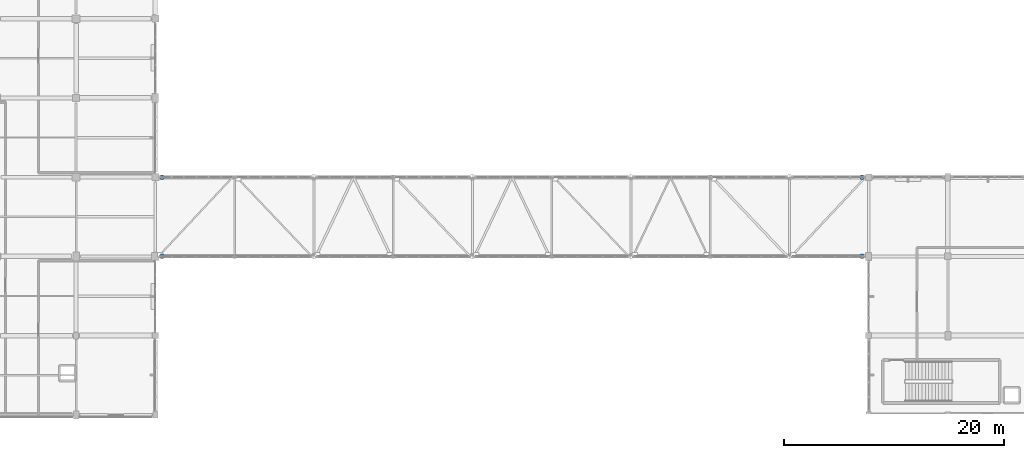
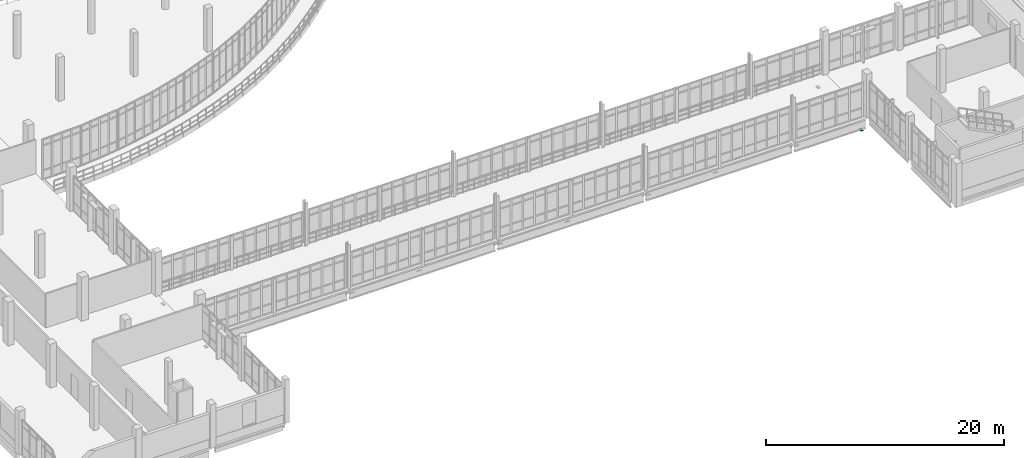
# One storey, part 114 of 124: 4 discrete accessories.
"""IFC4 building model written with IfcOpenShell, lengths in metres."""

from ifc_helpers import new_model, si_unit, direction, frame, origin, origin_2d, place, context, subcontext, project, spatial, rectangle, extrude, material, type_object, element, save


model = new_model("IFC4")

# Units and contexts
model_context = context("Model", 3, precision=1e-05, world=origin(), true_north=direction((0.0, 1.0)))
body_context = subcontext(model_context, "Body", "Model", "MODEL_VIEW")
ifc_project = project(units=[si_unit("LENGTHUNIT", "METRE"), si_unit("AREAUNIT", "SQUARE_METRE"), si_unit("VOLUMEUNIT", "CUBIC_METRE"), si_unit("PLANEANGLEUNIT", "RADIAN"), si_unit("MASSUNIT", "GRAM", prefix="KILO")], contexts=[model_context])

# Site, building, storey
site_placement = place(None, origin())
site = spatial("IfcSite", under=ifc_project, at=site_placement, CompositionType="ELEMENT")
building_placement = place(site_placement, origin())
building = spatial("IfcBuilding", under=site, at=building_placement, Name="Kalluvel Institute of Natural Sciences", CompositionType="ELEMENT")
storey_placement = place(building_placement, frame((0.0, 0.0, 9.89990234375)))
storey = spatial("IfcBuildingStorey", under=building, at=storey_placement, Name="L02", CompositionType="ELEMENT", Elevation=9.89990234375)

# Discrete accessories
ifc_material = material(Name="Steel E350 Grade 350", Category="steel")
discrete_accessory_type = type_object("IfcDiscreteAccessoryType", Name="ACC-PTFE-BRG", PredefinedType="BRACKET", material=ifc_material)
for number, where, z_axis, x_axis, name in (
    (1, (36.199951171875, 28.39990234375, -1.300048828125), (0.0, 0.0, 1.0), (1.0, 0.0, 0.0), "Link bridge PTFE movement bearing 24"),
    (2, (99.800048828125, 28.39990234375, -1.300048828125), (0.0, 0.0, 1.0), (1.0, 0.0, 0.0), "Link bridge PTFE movement bearing 25"),
    (3, (36.199951171875, 35.60009765625, -1.300048828125), (0.0, 0.0, 1.0), (1.0, 0.0, 0.0), "Link bridge PTFE movement bearing 51"),
    (4, (99.800048828125, 35.60009765625, -1.300048828125), (0.0, 0.0, 1.0), (1.0, 0.0, 0.0), "Link bridge PTFE movement bearing 52"),
):
    element("IfcDiscreteAccessory", number, at=place(storey_placement, frame(where, z_axis=z_axis, x_axis=x_axis)), inside=storey, type_object=discrete_accessory_type, Name=name, PredefinedType="BRACKET", context=body_context, shape_type="SweptSolid", body=[
        extrude(rectangle(XDim=0.25, YDim=0.419921875, at=origin_2d()), origin(), (0.0, 0.0, 1.0), 0.080078125),
    ])

save(model, "model.ifc")
